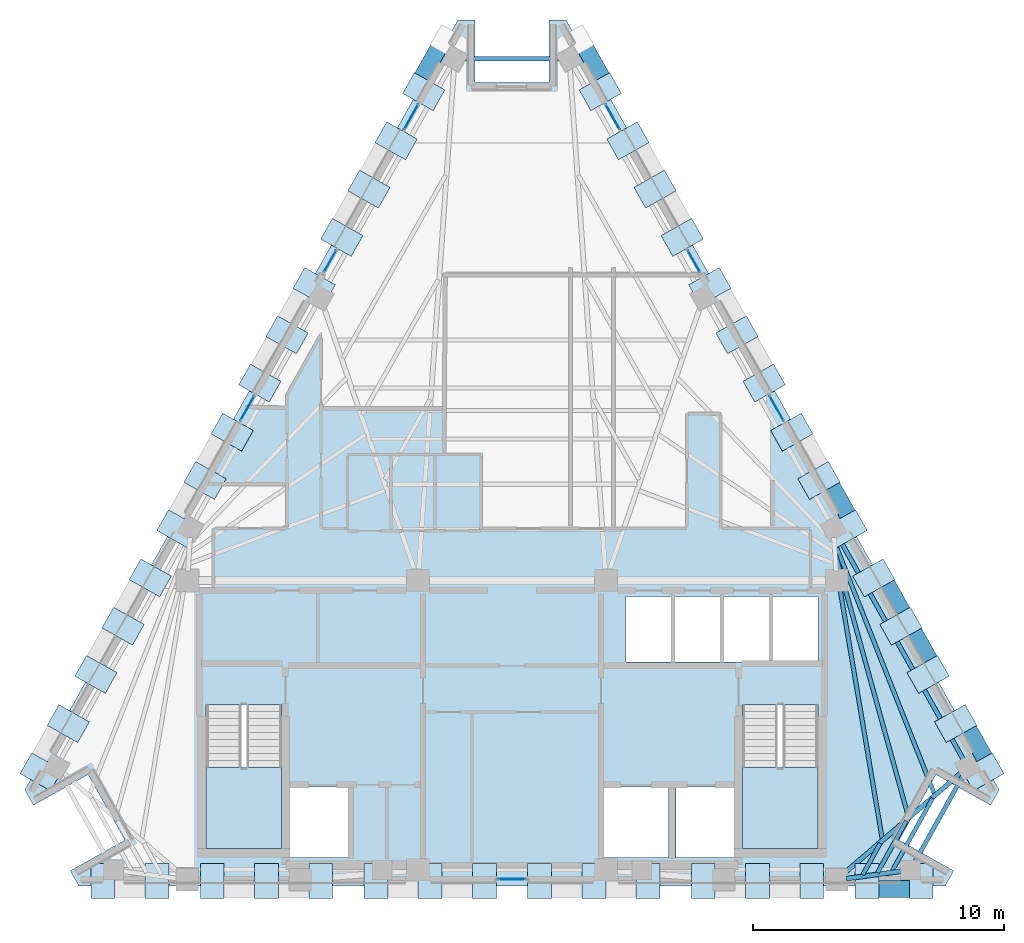
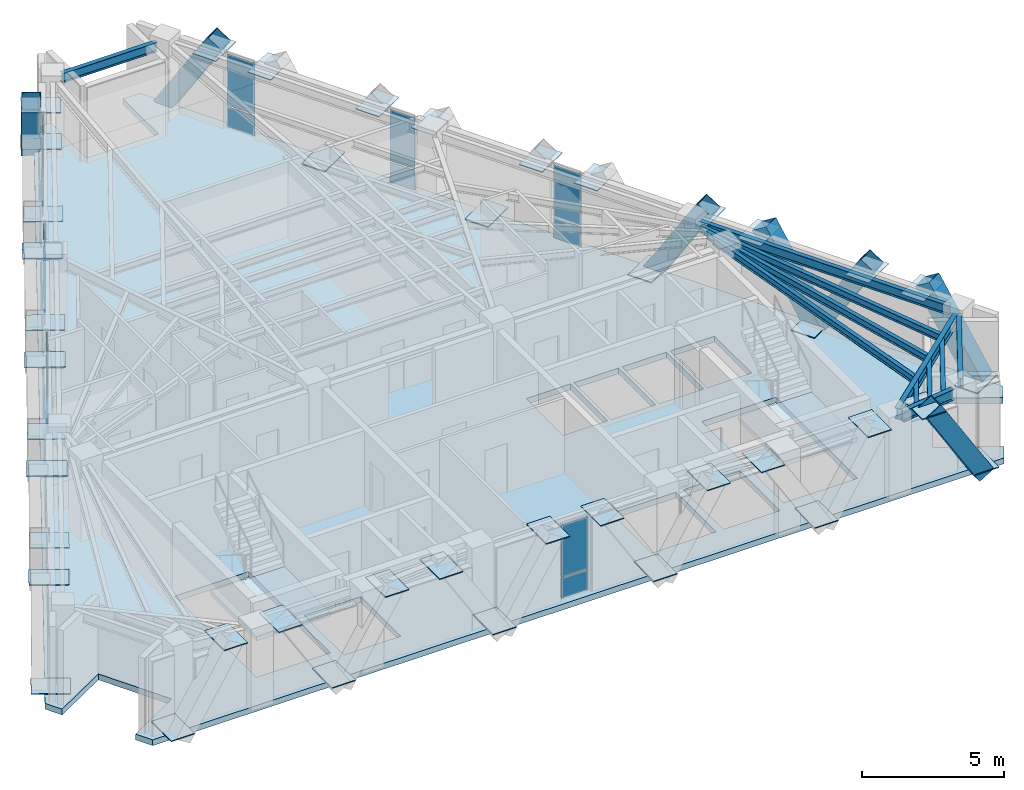
# One storey, part 4 of 9: 60 plates, 11 beams, 7 members, 3 slabs, 9 elements without a shape of their own.
"""IFC4 building model written with IfcOpenShell, lengths in metres."""

from ifc_helpers import new_model, si_unit, direction, frame, origin, origin_2d, place, context, subcontext, project, spatial, polyline, rectangle, hollow_rectangle, i_section, outline, extrude, material, layer, layer_set, material_profile, profile_set, type_object, element, aggregate, save


model = new_model("IFC4")

# Units and contexts
model_context = context("Model", 3, precision=1e-05, world=origin(), true_north=direction((0.0, 1.0)))
body_context = subcontext(model_context, "Body", "Model", "MODEL_VIEW")
ifc_project = project(units=[si_unit("LENGTHUNIT", "METRE"), si_unit("AREAUNIT", "SQUARE_METRE"), si_unit("VOLUMEUNIT", "CUBIC_METRE"), si_unit("PLANEANGLEUNIT", "RADIAN"), si_unit("MASSUNIT", "GRAM", prefix="KILO")], contexts=[model_context])

# Site, building, storey
site_placement = place(None, origin())
site = spatial("IfcSite", under=ifc_project, at=site_placement, CompositionType="ELEMENT")
building_placement = place(site_placement, origin())
building = spatial("IfcBuilding", under=site, at=building_placement, Name="Quenlor Broadcast Tower", CompositionType="ELEMENT")
storey_placement = place(building_placement, frame((0.0, 0.0, 249.89990234375)))
storey = spatial("IfcBuildingStorey", under=building, at=storey_placement, Name="L69", CompositionType="ELEMENT", Elevation=249.89990234375)

# Members
ifc_material_1 = material(Name="Steel S355", Category="steel")
ifc_material_profile_1 = material_profile(ifc_material_1, hollow_rectangle(XDim=0.679931640625, YDim=0.679931640625, WallThickness=0.02001953125, at=origin_2d()))
ifc_profile_set_1 = profile_set([ifc_material_profile_1], Name="Steel S355 RHS680x680x20")
member_type = type_object("IfcMemberType", Name="Perimeter Diagonal Lattice Brace Z5-Crown Steel S355 RHS680x20", PredefinedType="BRACE", material=ifc_profile_set_1)
member_placement = place(storey_placement, frame((16.31689453125, -17.1201171875, -0.119873046875), z_axis=(-0.523616565236, 0.0, 0.85195404372), x_axis=(0.0, -1.0, 0.0)))
element("IfcMember", 1, at=member_placement, inside=storey, type_object=member_type, Name="L69 Perimeter Diamond Lattice S-C1S", PredefinedType="BRACE", context=body_context, shape_type="SweptSolid", body=[
    extrude(hollow_rectangle(XDim=0.679931640625, YDim=0.679931640625, WallThickness=0.02001953125, at=origin_2d()), origin(), (0.0, 0.0, 1.0), 4.108154296875),
])
for number, where, z_axis, x_axis, name in (
    (2, (2.73681640625, 16.779296875, -0.119873046875), (0.260618804175, -0.463276364439, 0.847025884529), (0.8715547569, 0.490298180422, 0.0), "L69 Perimeter Diamond Lattice NE-C1S"),
    (3, (12.5458984375, -0.6591796875, -0.119873046875), (0.260618804175, -0.463276364439, 0.847025884529), (0.8715547569, 0.490298180422, 0.0), "L69 Perimeter Diamond Lattice NE-C4S"),
    (4, (15.802490234375, -6.44873046875, -0.119873046875), (-0.260563732169, 0.463283497491, 0.847038926161), (-0.871602253711, -0.49021374045, 0.0), "L69 Perimeter Diamond Lattice NE-C4B"),
    (5, (15.815673828125, -6.471923828125, -0.119873046875), (0.260618804175, -0.463276364439, 0.847025884529), (0.8715547569, 0.490298180422, 0.0), "L69 Perimeter Diamond Lattice NE-C5S"),
    (6, (19.072265625, -12.261474609375, -0.119873046875), (-0.260563732169, 0.463283497491, 0.847038926161), (-0.871602253711, -0.49021374045, 0.0), "L69 Perimeter Diamond Lattice NE-C5B"),
    (7, (-2.73681640625, 16.779296875, -0.119873046875), (-0.260618804175, -0.463276364439, 0.847025884529), (0.8715547569, -0.490298180422, 0.0), "L69 Perimeter Diamond Lattice NW-C5B"),
):
    element("IfcMember", number, at=place(storey_placement, frame(where, z_axis=z_axis, x_axis=x_axis)), inside=storey, type_object=member_type, Name=name, PredefinedType="BRACE", context=body_context, shape_type="SweptSolid", body=[
        extrude(hollow_rectangle(XDim=0.679931640625, YDim=0.679931640625, WallThickness=0.02001953125, at=origin_2d()), origin(), (0.0, 0.0, 1.0), 4.132080078125),
    ])

# Beams
ifc_material_2 = material(Name="Steel S355", Category="steel")
ifc_material_profile_2 = material_profile(ifc_material_2, i_section(OverallWidth=0.177978515625, OverallDepth=0.406494140625, WebThickness=0.0078125, FlangeThickness=0.0126953125, FilletRadius=0.011474609375, at=origin_2d()))
ifc_profile_set_2 = profile_set([ifc_material_profile_2], Name="Steel S355 410UB59.7")
beam_type_1 = type_object("IfcBeamType", Name="Perimeter Spandrel Beam Z5 Steel S355 410UB59.7", PredefinedType="SPANDREL", material=ifc_profile_set_2)
beam_1_placement = place(storey_placement, frame((16.07275390625, -16.035400390625, 3.046875), z_axis=(0.486800618374, 0.873513112638, 0.0), x_axis=(-0.873513112638, 0.486800618374, 0.0)))
element("IfcBeam", 8, at=beam_1_placement, inside=storey, type_object=beam_type_1, Name="L69 Spandrel Beam S4-NE1", PredefinedType="SPANDREL", context=body_context, shape_type="SweptSolid", body=[
    extrude(i_section(OverallWidth=0.177978515625, OverallDepth=0.406494140625, WebThickness=0.0078125, FlangeThickness=0.0126953125, FilletRadius=0.011474609375, at=origin_2d()), origin(), (0.0, 0.0, 1.0), 3.9736328125),
])
beam_2_placement = place(storey_placement, frame((18.005859375, -11.93603515625, 3.046875), z_axis=(-0.490274867878, 0.871567871096, 0.0), x_axis=(-0.871567871096, -0.490274867878, 0.0)))
element("IfcBeam", 9, at=beam_2_placement, inside=storey, type_object=beam_type_1, Name="L69 Spandrel Beam NE1-NE2", PredefinedType="SPANDREL", context=body_context, shape_type="SweptSolid", body=[
    extrude(i_section(OverallWidth=0.177978515625, OverallDepth=0.406494140625, WebThickness=0.0078125, FlangeThickness=0.0126953125, FilletRadius=0.011474609375, at=origin_2d()), origin(), (0.0, 0.0, 1.0), 10.206298828125),
])
beam_3_placement = place(storey_placement, frame((1.9248046875, 16.012451171875, 3.046875), z_axis=(-1.0, 0.0, 0.0), x_axis=(0.0, -1.0, 0.0)))
element("IfcBeam", 10, at=beam_3_placement, inside=storey, type_object=beam_type_1, Name="L69 Spandrel Beam NE4-NW1", PredefinedType="SPANDREL", context=body_context, shape_type="SweptSolid", body=[
    extrude(i_section(OverallWidth=0.177978515625, OverallDepth=0.406494140625, WebThickness=0.0078125, FlangeThickness=0.0126953125, FilletRadius=0.011474609375, at=origin_2d()), origin(), (0.0, 0.0, 1.0), 3.849609375),
])
ifc_material_3 = material(Name="Steel S355", Category="steel")
ifc_material_profile_3 = material_profile(ifc_material_3, i_section(OverallWidth=0.166015625, OverallDepth=0.30712890625, WebThickness=0.006591796875, FlangeThickness=0.01171875, FilletRadius=0.011474609375, at=origin_2d()))
ifc_profile_set_3 = profile_set([ifc_material_profile_3], Name="Steel S355 310UB46.2")
beam_type_2 = type_object("IfcBeamType", Name="Tower Composite Joist Z4-Z5 Steel S355 310UB46.2", PredefinedType="JOIST", material=ifc_profile_set_3)
beam_4_placement = place(storey_placement, frame((14.76806640625, -15.09619140625, 3.096435546875), z_axis=(-0.166553293246, 0.986032454085, 0.0), x_axis=(-0.986032454085, -0.166553293246, 0.0)))
element("IfcBeam", 11, at=beam_4_placement, inside=storey, type_object=beam_type_2, Name="L69 Secondary Composite Joist 16", PredefinedType="JOIST", context=body_context, shape_type="SweptSolid", body=[
    extrude(i_section(OverallWidth=0.166015625, OverallDepth=0.30712890625, WebThickness=0.006591796875, FlangeThickness=0.01171875, FilletRadius=0.011474609375, at=origin_2d()), origin(), (0.0, 0.0, 1.0), 11.097900390625),
])
beam_5_placement = place(storey_placement, frame((15.806396484375, -14.197998046875, 3.096435546875), z_axis=(-0.26744552871, 0.96357298072, 0.0), x_axis=(-0.96357298072, -0.26744552871, 0.0)))
element("IfcBeam", 12, at=beam_5_placement, inside=storey, type_object=beam_type_2, Name="L69 Secondary Composite Joist 17", PredefinedType="JOIST", context=body_context, shape_type="SweptSolid", body=[
    extrude(i_section(OverallWidth=0.166015625, OverallDepth=0.30712890625, WebThickness=0.006591796875, FlangeThickness=0.01171875, FilletRadius=0.011474609375, at=origin_2d()), origin(), (0.0, 0.0, 1.0), 10.856689453125),
])
beam_6_placement = place(storey_placement, frame((16.8447265625, -13.300537109375, 3.096435546875), z_axis=(-0.368680258049, 0.929556274426, 0.0), x_axis=(-0.929556274426, -0.368680258049, 0.0)))
element("IfcBeam", 13, at=beam_6_placement, inside=storey, type_object=beam_type_2, Name="L69 Secondary Composite Joist 18", PredefinedType="JOIST", context=body_context, shape_type="SweptSolid", body=[
    extrude(i_section(OverallWidth=0.166015625, OverallDepth=0.30712890625, WebThickness=0.006591796875, FlangeThickness=0.01171875, FilletRadius=0.011474609375, at=origin_2d()), origin(), (0.0, 0.0, 1.0), 10.737548828125),
])
beam_7_placement = place(storey_placement, frame((13.9912109375, -16.544189453125, 3.096435546875), z_axis=(0.486624304452, 0.873611347406, 0.0), x_axis=(-0.873611347406, 0.486624304452, 0.0)))
element("IfcBeam", 14, at=beam_7_placement, inside=storey, type_object=beam_type_2, Name="L69 Secondary Composite Joist 22", PredefinedType="JOIST", context=body_context, shape_type="SweptSolid", body=[
    extrude(i_section(OverallWidth=0.166015625, OverallDepth=0.30712890625, WebThickness=0.006591796875, FlangeThickness=0.01171875, FilletRadius=0.011474609375, at=origin_2d()), origin(), (0.0, 0.0, 1.0), 1.435791015625),
])
beam_8_placement = place(storey_placement, frame((14.58056640625, -16.464111328125, 3.096435546875), z_axis=(0.486820963037, 0.873501774439, 0.0), x_axis=(-0.873501774439, 0.486820963037, 0.0)))
element("IfcBeam", 15, at=beam_8_placement, inside=storey, type_object=beam_type_2, Name="L69 Secondary Composite Joist 23", PredefinedType="JOIST", context=body_context, shape_type="SweptSolid", body=[
    extrude(i_section(OverallWidth=0.166015625, OverallDepth=0.30712890625, WebThickness=0.006591796875, FlangeThickness=0.01171875, FilletRadius=0.011474609375, at=origin_2d()), origin(), (0.0, 0.0, 1.0), 2.37451171875),
])
beam_9_placement = place(storey_placement, frame((15.170166015625, -16.384033203125, 3.096435546875), z_axis=(0.486762404011, 0.873534408046, 0.0), x_axis=(-0.873534408046, 0.486762404011, 0.0)))
element("IfcBeam", 16, at=beam_9_placement, inside=storey, type_object=beam_type_2, Name="L69 Secondary Composite Joist 24", PredefinedType="JOIST", context=body_context, shape_type="SweptSolid", body=[
    extrude(i_section(OverallWidth=0.166015625, OverallDepth=0.30712890625, WebThickness=0.006591796875, FlangeThickness=0.01171875, FilletRadius=0.011474609375, at=origin_2d()), origin(), (0.0, 0.0, 1.0), 3.313232421875),
])
ifc_material_4 = material(Name="Steel S355", Category="steel")
ifc_material_profile_4 = material_profile(ifc_material_4, i_section(OverallWidth=0.19091796875, OverallDepth=0.46044921875, WebThickness=0.010009765625, FlangeThickness=0.01611328125, FilletRadius=0.011474609375, at=origin_2d()))
ifc_profile_set_4 = profile_set([ifc_material_profile_4], Name="Steel S355 460UB82.1")
beam_type_3 = type_object("IfcBeamType", Name="Tower Primary Floor Beam Z5 Steel S355 460UB82.1", PredefinedType="BEAM", material=ifc_profile_set_4)
beam_10_placement = place(storey_placement, frame((15.541015625, -16.3984375, 3.02001953125), z_axis=(-0.990917044125, -0.134474576267, 0.0), x_axis=(0.134474576267, -0.990917044125, 0.0)))
element("IfcBeam", 17, at=beam_10_placement, inside=storey, type_object=beam_type_3, Name="L69 Primary Radial Beam S4", PredefinedType="BEAM", context=body_context, shape_type="SweptSolid", body=[
    extrude(i_section(OverallWidth=0.19091796875, OverallDepth=0.46044921875, WebThickness=0.010009765625, FlangeThickness=0.01611328125, FilletRadius=0.011474609375, at=origin_2d()), origin(), (0.0, 0.0, 1.0), 2.23486328125),
])
beam_11_placement = place(storey_placement, frame((17.909423828125, -12.484619140625, 3.02001953125), z_axis=(-0.75817030855, -0.652056579779, 0.0), x_axis=(0.652056579779, -0.75817030855, 0.0)))
element("IfcBeam", 18, at=beam_11_placement, inside=storey, type_object=beam_type_3, Name="L69 Primary Radial Beam NE1", PredefinedType="BEAM", context=body_context, shape_type="SweptSolid", body=[
    extrude(i_section(OverallWidth=0.19091796875, OverallDepth=0.46044921875, WebThickness=0.010009765625, FlangeThickness=0.01611328125, FilletRadius=0.011474609375, at=origin_2d()), origin(), (0.0, 0.0, 1.0), 6.161376953125),
])

# Curtain wall, plates
ifc_material_5 = material(Name="Architectural Terracotta and Low-E Glazing", Category="masonry")
curtain_wall_type = type_object("IfcCurtainWallType", Name="Unitised Terracotta Curtain Wall System Z5", PredefinedType="NOTDEFINED", material=ifc_material_5)
curtain_wall_1_placement = place(storey_placement, origin())
curtain_wall_1 = element("IfcCurtainWall", 19, at=curtain_wall_1_placement, inside=storey, type_object=curtain_wall_type, Name="L69 Curtain Wall CW5 (L69-S-G1)", PredefinedType="NOTDEFINED")
ifc_material_6 = material(Name="Double Glazed Low-E Solar Glass", Category="glass")
ifc_layer_1 = layer(ifc_material_6, 0.02587890625)
ifc_layer_set_1 = layer_set([ifc_layer_1], Name="CW5 Double Glazed Vision Panel 26")
plate_type_1 = type_object("IfcPlateType", Name="CW5 Double Glazed Vision Panel 26", PredefinedType="CURTAIN_PANEL", material=ifc_layer_set_1)
plate_1_placement = place(storey_placement, frame((0.0, -16.72509765625, 0.065185546875), z_axis=(0.0, 0.0, 1.0), x_axis=(-1.0, 0.0, 0.0)))
plate_1 = element("IfcPlate", 20, at=plate_1_placement, type_object=plate_type_1, Name="CW5 panel 1.1", PredefinedType="CURTAIN_PANEL", context=body_context, shape_type="SweptSolid", body=[
    extrude(rectangle(XDim=1.082763671875, YDim=0.02587890625, at=origin_2d()), origin(), (0.0, 0.0, 1.0), 0.8525390625),
])
plate_2_placement = place(storey_placement, frame((0.0, -16.72509765625, 0.982421875), z_axis=(0.0, 0.0, 1.0), x_axis=(-1.0, 0.0, 0.0)))
plate_2 = element("IfcPlate", 21, at=plate_2_placement, type_object=plate_type_1, Name="CW5 panel 1.2", PredefinedType="CURTAIN_PANEL", context=body_context, shape_type="SweptSolid", body=[
    extrude(rectangle(XDim=1.082763671875, YDim=0.02587890625, at=origin_2d()), origin(), (0.0, 0.0, 1.0), 2.202392578125),
])
aggregate(curtain_wall_1, [plate_1, plate_2])

curtain_wall_2_placement = place(storey_placement, origin())
curtain_wall_2 = element("IfcCurtainWall", 22, at=curtain_wall_2_placement, inside=storey, type_object=curtain_wall_type, Name="L69 Curtain Wall CW5 (L69-NEA-G1)", PredefinedType="NOTDEFINED")
plate_3_placement = place(storey_placement, frame((4.02099609375, 13.69091796875, 0.065185546875), z_axis=(0.0, 0.0, 1.0), x_axis=(0.49029137745, -0.871558583916, 0.0)))
plate_3 = element("IfcPlate", 23, at=plate_3_placement, type_object=plate_type_1, Name="CW5 panel 1.1", PredefinedType="CURTAIN_PANEL", context=body_context, shape_type="SweptSolid", body=[
    extrude(rectangle(XDim=1.13037109375, YDim=0.02587890625, at=origin_2d()), origin(), (0.0, 0.0, 1.0), 0.8525390625),
])
plate_4_placement = place(storey_placement, frame((4.02099609375, 13.69091796875, 0.982421875), z_axis=(0.0, 0.0, 1.0), x_axis=(0.49029137745, -0.871558583916, 0.0)))
plate_4 = element("IfcPlate", 24, at=plate_4_placement, type_object=plate_type_1, Name="CW5 panel 1.2", PredefinedType="CURTAIN_PANEL", context=body_context, shape_type="SweptSolid", body=[
    extrude(rectangle(XDim=1.13037109375, YDim=0.02587890625, at=origin_2d()), origin(), (0.0, 0.0, 1.0), 2.202392578125),
])
aggregate(curtain_wall_2, [plate_3, plate_4])

curtain_wall_3_placement = place(storey_placement, origin())
curtain_wall_3 = element("IfcCurtainWall", 25, at=curtain_wall_3_placement, inside=storey, type_object=curtain_wall_type, Name="L69 Curtain Wall CW5 (L69-NEA-G2)", PredefinedType="NOTDEFINED")
plate_5_placement = place(storey_placement, frame((7.258056640625, 7.935791015625, 0.065185546875), z_axis=(0.0, 0.0, 1.0), x_axis=(0.490282293669, -0.871563693894, 0.0)))
plate_5 = element("IfcPlate", 26, at=plate_5_placement, type_object=plate_type_1, Name="CW5 panel 1.1", PredefinedType="CURTAIN_PANEL", context=body_context, shape_type="SweptSolid", body=[
    extrude(rectangle(XDim=0.99755859375, YDim=0.02587890625, at=origin_2d()), origin(), (0.0, 0.0, 1.0), 0.8525390625),
])
plate_6_placement = place(storey_placement, frame((7.258056640625, 7.935791015625, 0.982421875), z_axis=(0.0, 0.0, 1.0), x_axis=(0.490282293669, -0.871563693894, 0.0)))
plate_6 = element("IfcPlate", 27, at=plate_6_placement, type_object=plate_type_1, Name="CW5 panel 1.2", PredefinedType="CURTAIN_PANEL", context=body_context, shape_type="SweptSolid", body=[
    extrude(rectangle(XDim=0.99755859375, YDim=0.02587890625, at=origin_2d()), origin(), (0.0, 0.0, 1.0), 2.202392578125),
])
aggregate(curtain_wall_3, [plate_5, plate_6])

curtain_wall_4_placement = place(storey_placement, origin())
curtain_wall_4 = element("IfcCurtainWall", 28, at=curtain_wall_4_placement, inside=storey, type_object=curtain_wall_type, Name="L69 Curtain Wall CW5 (L69-NE-G1)", PredefinedType="NOTDEFINED")
plate_7_placement = place(storey_placement, frame((10.560302734375, 2.065185546875, 0.065185546875), z_axis=(0.0, 0.0, 1.0), x_axis=(0.490231100048, -0.871592489955, 0.0)))
plate_7 = element("IfcPlate", 29, at=plate_7_placement, type_object=plate_type_1, Name="CW5 panel 1.1", PredefinedType="CURTAIN_PANEL", context=body_context, shape_type="SweptSolid", body=[
    extrude(rectangle(XDim=1.130126953125, YDim=0.02587890625, at=origin_2d()), origin(), (0.0, 0.0, 1.0), 0.8525390625),
])
plate_8_placement = place(storey_placement, frame((10.560302734375, 2.065185546875, 0.982421875), z_axis=(0.0, 0.0, 1.0), x_axis=(0.490231100048, -0.871592489955, 0.0)))
plate_8 = element("IfcPlate", 30, at=plate_8_placement, type_object=plate_type_1, Name="CW5 panel 1.2", PredefinedType="CURTAIN_PANEL", context=body_context, shape_type="SweptSolid", body=[
    extrude(rectangle(XDim=1.130126953125, YDim=0.02587890625, at=origin_2d()), origin(), (0.0, 0.0, 1.0), 2.202392578125),
])
aggregate(curtain_wall_4, [plate_7, plate_8])

curtain_wall_5_placement = place(storey_placement, origin())
curtain_wall_5 = element("IfcCurtainWall", 31, at=curtain_wall_5_placement, inside=storey, type_object=curtain_wall_type, Name="L69 Curtain Wall CW5 (L69-NWC-G1)", PredefinedType="NOTDEFINED")
plate_9_placement = place(storey_placement, frame((-7.258056640625, 7.935791015625, 0.065185546875), z_axis=(0.0, 0.0, 1.0), x_axis=(0.490282293669, 0.871563693894, 0.0)))
plate_9 = element("IfcPlate", 32, at=plate_9_placement, type_object=plate_type_1, Name="CW5 panel 1.1", PredefinedType="CURTAIN_PANEL", context=body_context, shape_type="SweptSolid", body=[
    extrude(rectangle(XDim=0.99755859375, YDim=0.02587890625, at=origin_2d()), origin(), (0.0, 0.0, 1.0), 0.8525390625),
])
plate_10_placement = place(storey_placement, frame((-7.258056640625, 7.935791015625, 0.982421875), z_axis=(0.0, 0.0, 1.0), x_axis=(0.490282293669, 0.871563693894, 0.0)))
plate_10 = element("IfcPlate", 33, at=plate_10_placement, type_object=plate_type_1, Name="CW5 panel 1.2", PredefinedType="CURTAIN_PANEL", context=body_context, shape_type="SweptSolid", body=[
    extrude(rectangle(XDim=0.99755859375, YDim=0.02587890625, at=origin_2d()), origin(), (0.0, 0.0, 1.0), 2.202392578125),
])
aggregate(curtain_wall_5, [plate_9, plate_10])

curtain_wall_6_placement = place(storey_placement, origin())
curtain_wall_6 = element("IfcCurtainWall", 34, at=curtain_wall_6_placement, inside=storey, type_object=curtain_wall_type, Name="L69 Curtain Wall CW5 (L69-NWC-G2)", PredefinedType="NOTDEFINED")
plate_11_placement = place(storey_placement, frame((-4.02099609375, 13.69091796875, 0.065185546875), z_axis=(0.0, 0.0, 1.0), x_axis=(0.49029137745, 0.871558583916, 0.0)))
plate_11 = element("IfcPlate", 35, at=plate_11_placement, type_object=plate_type_1, Name="CW5 panel 1.1", PredefinedType="CURTAIN_PANEL", context=body_context, shape_type="SweptSolid", body=[
    extrude(rectangle(XDim=1.13037109375, YDim=0.02587890625, at=origin_2d()), origin(), (0.0, 0.0, 1.0), 0.8525390625),
])
plate_12_placement = place(storey_placement, frame((-4.02099609375, 13.69091796875, 0.982421875), z_axis=(0.0, 0.0, 1.0), x_axis=(0.49029137745, 0.871558583916, 0.0)))
plate_12 = element("IfcPlate", 36, at=plate_12_placement, type_object=plate_type_1, Name="CW5 panel 1.2", PredefinedType="CURTAIN_PANEL", context=body_context, shape_type="SweptSolid", body=[
    extrude(rectangle(XDim=1.13037109375, YDim=0.02587890625, at=origin_2d()), origin(), (0.0, 0.0, 1.0), 2.202392578125),
])
aggregate(curtain_wall_6, [plate_11, plate_12])

curtain_wall_7_placement = place(storey_placement, origin())
curtain_wall_7 = element("IfcCurtainWall", 37, at=curtain_wall_7_placement, inside=storey, type_object=curtain_wall_type, Name="L69 Curtain Wall CW5 (L69-NW-G1)", PredefinedType="NOTDEFINED")
plate_13_placement = place(storey_placement, frame((-10.560302734375, 2.065185546875, 0.065185546875), z_axis=(0.0, 0.0, 1.0), x_axis=(0.490231100048, 0.871592489955, 0.0)))
plate_13 = element("IfcPlate", 38, at=plate_13_placement, type_object=plate_type_1, Name="CW5 panel 1.1", PredefinedType="CURTAIN_PANEL", context=body_context, shape_type="SweptSolid", body=[
    extrude(rectangle(XDim=1.130126953125, YDim=0.02587890625, at=origin_2d()), origin(), (0.0, 0.0, 1.0), 0.8525390625),
])
plate_14_placement = place(storey_placement, frame((-10.560302734375, 2.065185546875, 0.982421875), z_axis=(0.0, 0.0, 1.0), x_axis=(0.490231100048, 0.871592489955, 0.0)))
plate_14 = element("IfcPlate", 39, at=plate_14_placement, type_object=plate_type_1, Name="CW5 panel 1.2", PredefinedType="CURTAIN_PANEL", context=body_context, shape_type="SweptSolid", body=[
    extrude(rectangle(XDim=1.130126953125, YDim=0.02587890625, at=origin_2d()), origin(), (0.0, 0.0, 1.0), 2.202392578125),
])
aggregate(curtain_wall_7, [plate_13, plate_14])

# Stair, slab
ifc_material_7 = material(Name="Precast concrete C40/50", Category="concrete")
stair_type = type_object("IfcStairType", Name="Precast Concrete C40/50 Dogleg Stair H350", PredefinedType="HALF_TURN_STAIR", material=ifc_material_7)
stair_1_placement = place(storey_placement, origin())
stair_1 = element("IfcStair", 40, at=stair_1_placement, inside=storey, type_object=stair_type, Name="L69 West Core Fire-Isolated Exit Stair ST-1", PredefinedType="HALF_TURN_STAIR")
ifc_material_8 = material(Name="Precast concrete C40/50", Category="concrete")
ifc_layer_2 = layer(ifc_material_8, 0.199951171875)
ifc_layer_set_2 = layer_set([ifc_layer_2], Name="Precast Concrete C40/50 Stair Landing Slab 200")
slab_type_1 = type_object("IfcSlabType", Name="Precast Concrete C40/50 Stair Landing Slab 200", PredefinedType="LANDING", material=ifc_layer_set_2)
slab_1_placement = place(storey_placement, frame((0.0, 0.0, 1.550048828125)))
slab_1 = element("IfcSlab", 41, at=slab_1_placement, type_object=slab_type_1, Name="ST-1 landing 1", PredefinedType="LANDING", context=body_context, shape_type="SweptSolid", body=[
    extrude(outline(polyline([(-12.199951171875, -12.27001953125), (-12.199951171875, -15.5), (-9.199951171875, -15.5), (-9.199951171875, -12.27001953125), (-12.199951171875, -12.27001953125)])), origin(), (0.0, 0.0, 1.0), 0.199951171875),
])
aggregate(stair_1, [slab_1])

stair_2_placement = place(storey_placement, origin())
stair_2 = element("IfcStair", 42, at=stair_2_placement, inside=storey, type_object=stair_type, Name="L69 East Core Fire-Isolated Exit Stair ST-2", PredefinedType="HALF_TURN_STAIR")
slab_2_placement = place(storey_placement, frame((0.0, 0.0, 1.550048828125)))
slab_2 = element("IfcSlab", 43, at=slab_2_placement, type_object=slab_type_1, Name="ST-2 landing 1", PredefinedType="LANDING", context=body_context, shape_type="SweptSolid", body=[
    extrude(outline(polyline([(9.199951171875, -12.27001953125), (9.199951171875, -15.5), (12.199951171875, -15.5), (12.199951171875, -12.27001953125), (9.199951171875, -12.27001953125)])), origin(), (0.0, 0.0, 1.0), 0.199951171875),
])
aggregate(stair_2, [slab_2])

# Slab
ifc_material_9 = material(Name="Concrete C40/50", Category="concrete")
ifc_layer_3 = layer(ifc_material_9, 0.25)
ifc_layer_set_3 = layer_set([ifc_layer_3], Name="Tower Composite Concrete C40/50 Slab 250")
slab_type_2 = type_object("IfcSlabType", Name="Tower Composite Concrete C40/50 Slab 250", PredefinedType="FLOOR", material=ifc_layer_set_3)
slab_3_placement = place(storey_placement, frame((0.0, 0.0, -0.25)))
element("IfcSlab", 44, at=slab_3_placement, inside=storey, type_object=slab_type_2, Name="L69 Structural Floor Slab", PredefinedType="FLOOR", context=body_context, shape_type="SweptSolid", body=[
    extrude(outline(polyline([(17.280029296875, -17.0), (17.62548828125, -16.385498046875), (15.44677734375, -15.159912109375), (16.91552734375, -12.548583984375), (19.094482421875, -13.7744140625), (19.43994140625, -13.159912109375), (2.159912109375, 17.56005859375), (1.46875, 17.56005859375), (1.46875, 15.06005859375), (-1.46875, 15.06005859375), (-1.46875, 17.56005859375), (-2.159912109375, 17.56005859375), (-19.43994140625, -13.159912109375), (-19.094482421875, -13.7744140625), (-16.91552734375, -12.548583984375), (-15.44677734375, -15.159912109375), (-17.62548828125, -16.385498046875), (-17.280029296875, -17.0), (17.280029296875, -17.0)]), holes=[polyline([(-12.199951171875, -9.758056640625), (-12.199951171875, -15.5), (-9.199951171875, -15.5), (-9.199951171875, -9.758056640625), (-12.199951171875, -9.758056640625)]), polyline([(9.199951171875, -9.758056640625), (9.199951171875, -15.5), (12.199951171875, -15.5), (12.199951171875, -9.758056640625), (9.199951171875, -9.758056640625)]), polyline([(4.550048828125, -8.050048828125), (6.35009765625, -8.050048828125), (6.35009765625, -5.449951171875), (4.550048828125, -5.449951171875), (4.550048828125, -8.050048828125)]), polyline([(6.5, -8.050048828125), (8.300048828125, -8.050048828125), (8.300048828125, -5.449951171875), (6.5, -5.449951171875), (6.5, -8.050048828125)]), polyline([(8.449951171875, -8.050048828125), (10.25, -8.050048828125), (10.25, -5.449951171875), (8.449951171875, -5.449951171875), (8.449951171875, -8.050048828125)]), polyline([(10.39990234375, -8.050048828125), (12.199951171875, -8.050048828125), (12.199951171875, -5.449951171875), (10.39990234375, -5.449951171875), (10.39990234375, -8.050048828125)]), polyline([(-8.85009765625, -15.85009765625), (-6.550048828125, -15.85009765625), (-6.550048828125, -13.050048828125), (-8.85009765625, -13.050048828125), (-8.85009765625, -15.85009765625)]), polyline([(6.550048828125, -15.85009765625), (8.85009765625, -15.85009765625), (8.85009765625, -13.050048828125), (6.550048828125, -13.050048828125), (6.550048828125, -15.85009765625)]), polyline([(3.64990234375, -15.85009765625), (6.25, -15.85009765625), (6.25, -13.050048828125), (3.64990234375, -13.050048828125), (3.64990234375, -15.85009765625)])]), origin(), (0.0, 0.0, 1.0), 0.25),
])

# Plates
ifc_material_10 = material(Name="Steel S355", Category="steel")
ifc_layer_4 = layer(ifc_material_10, 0.035888671875)
ifc_layer_set_4 = layer_set([ifc_layer_4], Name="Transfer Truss Steel S355 Gusset Node Plate 1400x950x36")
plate_type_2 = type_object("IfcPlateType", Name="Transfer Truss Steel S355 Gusset Node Plate 1400x950x36", PredefinedType="SHEET", material=ifc_layer_set_4)
for number, where, z_axis, x_axis, name in (
    (45, (16.330078125, -16.784912109375, 0.0419921875), (0.0, 0.0, 1.0), (0.0, -1.0, 0.0), "L69 Lattice Tie Gusset Node S-B0"),
    (46, (14.165771484375, -16.784912109375, 3.18212890625), (0.0, 0.0, 1.0), (0.0, -1.0, 0.0), "L69 Lattice Tie Gusset Node S-T1"),
    (47, (9.798095703125, -16.784912109375, 0.0419921875), (0.0, 0.0, 1.0), (0.0, -1.0, 0.0), "L69 Lattice Tie Gusset Node S-B3"),
    (48, (11.96240234375, -16.784912109375, 3.18212890625), (0.0, 0.0, 1.0), (0.0, -1.0, 0.0), "L69 Lattice Tie Gusset Node S-T2"),
    (49, (7.6337890625, -16.784912109375, 3.18212890625), (0.0, 0.0, 1.0), (0.0, -1.0, 0.0), "L69 Lattice Tie Gusset Node S-T4"),
    (50, (3.26611328125, -16.784912109375, 0.0419921875), (0.0, 0.0, 1.0), (0.0, -1.0, 0.0), "L69 Lattice Tie Gusset Node S-B6"),
    (51, (5.430419921875, -16.784912109375, 3.18212890625), (0.0, 0.0, 1.0), (0.0, -1.0, 0.0), "L69 Lattice Tie Gusset Node S-T5"),
    (52, (1.101806640625, -16.784912109375, 3.18212890625), (0.0, 0.0, 1.0), (0.0, -1.0, 0.0), "L69 Lattice Tie Gusset Node S-T7"),
    (53, (-3.26611328125, -16.784912109375, 0.0419921875), (0.0, 0.0, 1.0), (0.0, -1.0, 0.0), "L69 Lattice Tie Gusset Node S-B9"),
    (54, (-1.101806640625, -16.784912109375, 3.18212890625), (0.0, 0.0, 1.0), (0.0, -1.0, 0.0), "L69 Lattice Tie Gusset Node S-T8"),
    (55, (-5.430419921875, -16.784912109375, 3.18212890625), (0.0, 0.0, 1.0), (0.0, -1.0, 0.0), "L69 Lattice Tie Gusset Node S-T10"),
    (56, (-9.798095703125, -16.784912109375, 0.0419921875), (0.0, 0.0, 1.0), (0.0, -1.0, 0.0), "L69 Lattice Tie Gusset Node S-B12"),
    (57, (-7.6337890625, -16.784912109375, 3.18212890625), (0.0, 0.0, 1.0), (0.0, -1.0, 0.0), "L69 Lattice Tie Gusset Node S-T11"),
    (58, (-11.96240234375, -16.784912109375, 3.18212890625), (0.0, 0.0, 1.0), (0.0, -1.0, 0.0), "L69 Lattice Tie Gusset Node S-T13"),
    (59, (-16.330078125, -16.784912109375, 0.0419921875), (0.0, 0.0, 1.0), (0.0, -1.0, 0.0), "L69 Lattice Tie Gusset Node S-B15"),
    (60, (-14.165771484375, -16.784912109375, 3.18212890625), (0.0, 0.0, 1.0), (0.0, -1.0, 0.0), "L69 Lattice Tie Gusset Node S-T14"),
    (61, (3.521728515625, 14.70068359375, 3.18212890625), (0.0, 0.0, 1.0), (0.871556314255, 0.490295412055, 0.0), "L69 Lattice Tie Gusset Node NE-T1"),
    (62, (5.7080078125, 10.813720703125, 0.0419921875), (0.0, 0.0, 1.0), (0.871556314255, 0.490295412055, 0.0), "L69 Lattice Tie Gusset Node NE-B3"),
    (63, (4.624755859375, 12.73974609375, 3.18212890625), (0.0, 0.0, 1.0), (0.871556314255, 0.490295412055, 0.0), "L69 Lattice Tie Gusset Node NE-T2"),
    (64, (6.79150390625, 8.8876953125, 3.18212890625), (0.0, 0.0, 1.0), (0.871556314255, 0.490295412055, 0.0), "L69 Lattice Tie Gusset Node NE-T4"),
    (65, (8.977783203125, 5.0009765625, 0.0419921875), (0.0, 0.0, 1.0), (0.871556314255, 0.490295412055, 0.0), "L69 Lattice Tie Gusset Node NE-B6"),
    (66, (7.894287109375, 6.927001953125, 3.18212890625), (0.0, 0.0, 1.0), (0.871556314255, 0.490295412055, 0.0), "L69 Lattice Tie Gusset Node NE-T5"),
    (67, (10.06103515625, 3.074951171875, 3.18212890625), (0.0, 0.0, 1.0), (0.871556314255, 0.490295412055, 0.0), "L69 Lattice Tie Gusset Node NE-T7"),
    (68, (12.247314453125, -0.811767578125, 0.0419921875), (0.0, 0.0, 1.0), (0.871556314255, 0.490295412055, 0.0), "L69 Lattice Tie Gusset Node NE-B9"),
    (69, (11.1640625, 1.1142578125, 3.18212890625), (0.0, 0.0, 1.0), (0.871556314255, 0.490295412055, 0.0), "L69 Lattice Tie Gusset Node NE-T8"),
    (70, (13.330810546875, -2.73779296875, 3.18212890625), (0.0, 0.0, 1.0), (0.871556314255, 0.490295412055, 0.0), "L69 Lattice Tie Gusset Node NE-T10"),
    (71, (15.51708984375, -6.62451171875, 0.0419921875), (0.0, 0.0, 1.0), (0.871556314255, 0.490295412055, 0.0), "L69 Lattice Tie Gusset Node NE-B12"),
    (72, (14.433837890625, -4.698486328125, 3.18212890625), (0.0, 0.0, 1.0), (0.871556314255, 0.490295412055, 0.0), "L69 Lattice Tie Gusset Node NE-T11"),
    (73, (16.6005859375, -8.550537109375, 3.18212890625), (0.0, 0.0, 1.0), (0.871556314255, 0.490295412055, 0.0), "L69 Lattice Tie Gusset Node NE-T13"),
    (74, (18.786865234375, -12.4375, 0.0419921875), (0.0, 0.0, 1.0), (0.871556314255, 0.490295412055, 0.0), "L69 Lattice Tie Gusset Node NE-B15"),
    (75, (17.70361328125, -10.511474609375, 3.18212890625), (0.0, 0.0, 1.0), (0.871556314255, 0.490295412055, 0.0), "L69 Lattice Tie Gusset Node NE-T14"),
    (76, (-18.786865234375, -12.4375, 0.0419921875), (0.0, 0.0, 1.0), (-0.871556314255, 0.490295412055, 0.0), "L69 Lattice Tie Gusset Node NW-B0"),
    (77, (-17.70361328125, -10.511474609375, 3.18212890625), (0.0, 0.0, 1.0), (-0.871556314255, 0.490295412055, 0.0), "L69 Lattice Tie Gusset Node NW-T1"),
    (78, (-15.51708984375, -6.62451171875, 0.0419921875), (0.0, 0.0, 1.0), (-0.871556314255, 0.490295412055, 0.0), "L69 Lattice Tie Gusset Node NW-B3"),
    (79, (-16.6005859375, -8.550537109375, 3.18212890625), (0.0, 0.0, 1.0), (-0.871556314255, 0.490295412055, 0.0), "L69 Lattice Tie Gusset Node NW-T2"),
    (80, (-14.433837890625, -4.698486328125, 3.18212890625), (0.0, 0.0, 1.0), (-0.871556314255, 0.490295412055, 0.0), "L69 Lattice Tie Gusset Node NW-T4"),
    (81, (-12.247314453125, -0.811767578125, 0.0419921875), (0.0, 0.0, 1.0), (-0.871556314255, 0.490295412055, 0.0), "L69 Lattice Tie Gusset Node NW-B6"),
    (82, (-13.330810546875, -2.73779296875, 3.18212890625), (0.0, 0.0, 1.0), (-0.871556314255, 0.490295412055, 0.0), "L69 Lattice Tie Gusset Node NW-T5"),
    (83, (-11.1640625, 1.1142578125, 3.18212890625), (0.0, 0.0, 1.0), (-0.871556314255, 0.490295412055, 0.0), "L69 Lattice Tie Gusset Node NW-T7"),
    (84, (-8.977783203125, 5.0009765625, 0.0419921875), (0.0, 0.0, 1.0), (-0.871556314255, 0.490295412055, 0.0), "L69 Lattice Tie Gusset Node NW-B9"),
    (85, (-10.06103515625, 3.074951171875, 3.18212890625), (0.0, 0.0, 1.0), (-0.871556314255, 0.490295412055, 0.0), "L69 Lattice Tie Gusset Node NW-T8"),
    (86, (-7.894287109375, 6.927001953125, 3.18212890625), (0.0, 0.0, 1.0), (-0.871556314255, 0.490295412055, 0.0), "L69 Lattice Tie Gusset Node NW-T10"),
    (87, (-5.7080078125, 10.813720703125, 0.0419921875), (0.0, 0.0, 1.0), (-0.871556314255, 0.490295412055, 0.0), "L69 Lattice Tie Gusset Node NW-B12"),
    (88, (-6.79150390625, 8.8876953125, 3.18212890625), (0.0, 0.0, 1.0), (-0.871556314255, 0.490295412055, 0.0), "L69 Lattice Tie Gusset Node NW-T11"),
    (89, (-4.624755859375, 12.73974609375, 3.18212890625), (0.0, 0.0, 1.0), (-0.871556314255, 0.490295412055, 0.0), "L69 Lattice Tie Gusset Node NW-T13"),
    (90, (-3.521728515625, 14.70068359375, 3.18212890625), (0.0, 0.0, 1.0), (-0.871556314255, 0.490295412055, 0.0), "L69 Lattice Tie Gusset Node NW-T14"),
):
    element("IfcPlate", number, at=place(storey_placement, frame(where, z_axis=z_axis, x_axis=x_axis)), inside=storey, type_object=plate_type_2, Name=name, PredefinedType="SHEET", context=body_context, shape_type="SweptSolid", body=[
        extrude(rectangle(XDim=1.39990234375, YDim=0.949951171875, at=origin_2d()), origin(), (0.0, 0.0, 1.0), 0.035888671875),
    ])

save(model, "model.ifc")
